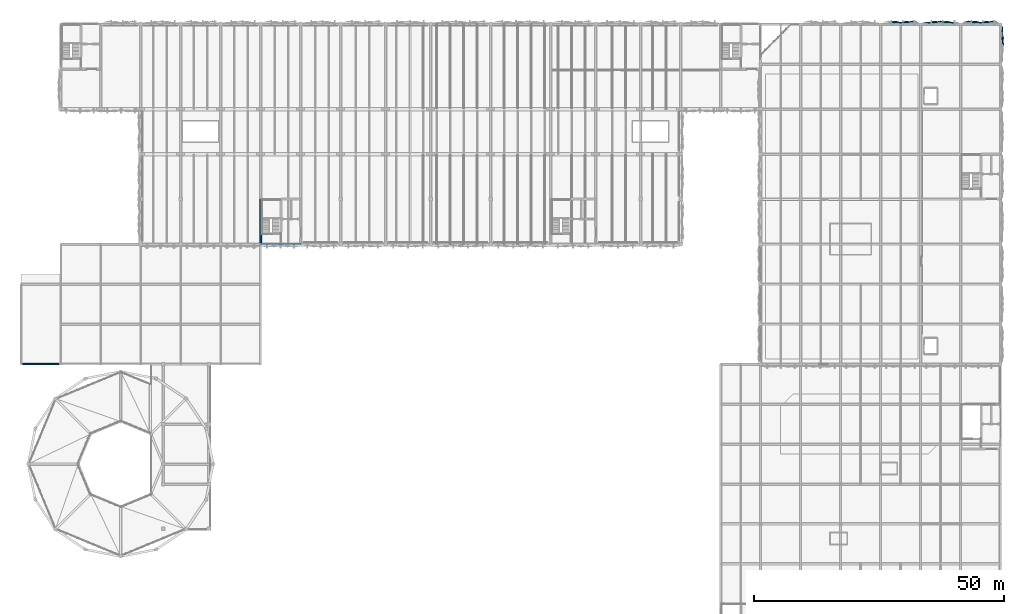
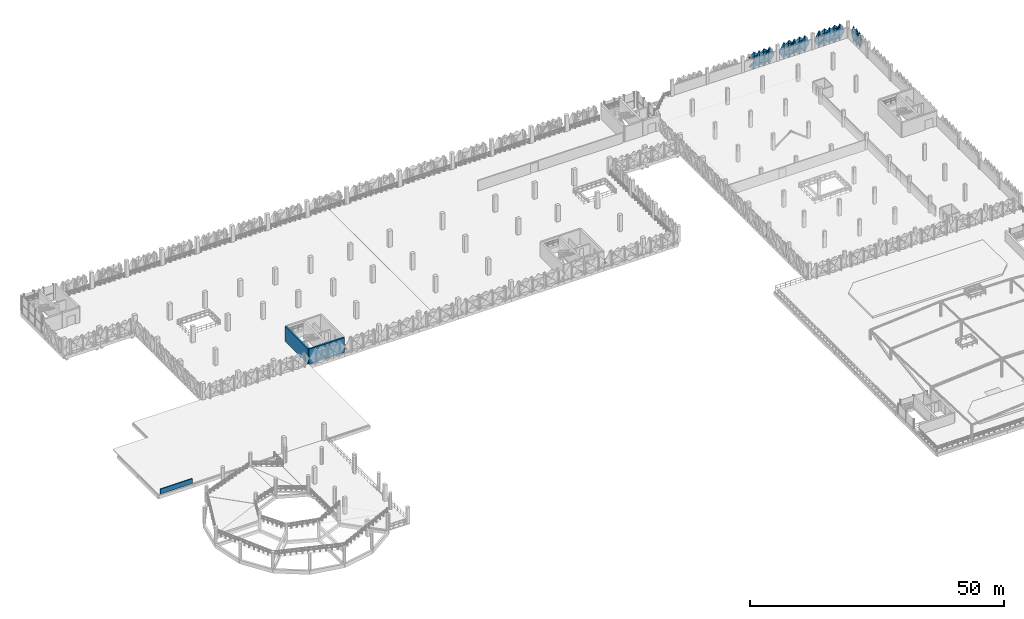
# One storey, part 39 of 76: 24 plates, 3 walls.
"""IFC4 building model written with IfcOpenShell, lengths in metres."""

from ifc_helpers import new_model, si_unit, derived_unit, direction, frame, frame_2d, origin, place, context, subcontext, project, spatial, rectangle, extrude, polygons, material, layer, layer_set, type_object, element, save


model = new_model("IFC4")

# Units and contexts
model_context = context("Model", 3, precision=1e-05, world=origin(), true_north=direction((0.0, 1.0)))
body_context = subcontext(model_context, "Body", "Model", "MODEL_VIEW")
ifc_project = project(units=[si_unit("LENGTHUNIT", "METRE"), si_unit("AREAUNIT", "SQUARE_METRE"), si_unit("VOLUMEUNIT", "CUBIC_METRE"), si_unit("PLANEANGLEUNIT", "RADIAN"), si_unit("MASSUNIT", "GRAM", prefix="KILO"), si_unit("THERMODYNAMICTEMPERATUREUNIT", "KELVIN"), derived_unit("THERMALTRANSMITTANCEUNIT", [(si_unit("POWERUNIT", "WATT"), 1), (si_unit("AREAUNIT", "SQUARE_METRE"), -1), (si_unit("THERMODYNAMICTEMPERATUREUNIT", "KELVIN"), -1)])], contexts=[model_context])

# Site, building, storey
site_placement = place(None, origin())
site = spatial("IfcSite", under=ifc_project, at=site_placement, CompositionType="ELEMENT")
building_placement = place(site_placement, origin())
building = spatial("IfcBuilding", under=site, at=building_placement, Name="Haiyu Intermodal Mobility Hub", CompositionType="ELEMENT")
storey_placement = place(building_placement, frame((0.0, 0.0, 17.300048828125)))
storey = spatial("IfcBuildingStorey", under=building, at=storey_placement, Name="L04", CompositionType="ELEMENT", Elevation=17.300048828125)

# Plates
ifc_material_1 = material(Name="Anodised aluminium 6063-T6", Category="aluminium")
ifc_layer_1 = layer(ifc_material_1, 0.01806640625)
ifc_layer_set_1 = layer_set([ifc_layer_1], Name="Anodised aluminium 6063-T6")
plate_type_1 = type_object("IfcPlateType", Name="PLT-FC01", PredefinedType="USERDEFINED", material=ifc_layer_set_1)
plate_1_placement = place(storey_placement, origin())
element("IfcPlate", 1, at=plate_1_placement, inside=storey, type_object=plate_type_1, Name="PLT-PYR-1337", ObjectType="FACADE CASSETTE", PredefinedType="USERDEFINED", context=body_context, shape_type="Tessellation", body=[
    polygons([(192.346923828125, 148.39990234375, -0.510009765625), (191.193115234375, 148.39990234375, 1.599853515625), (192.346923828125, 148.39990234375, 3.7099609375), (193.5, 148.39990234375, 1.599853515625), (192.346923828125, 148.679931640625, 1.599853515625), (192.346923828125, 148.3779296875, -0.510009765625), (191.193115234375, 148.3779296875, 1.599853515625), (192.346923828125, 148.3779296875, 3.7099609375), (193.5, 148.3779296875, 1.599853515625), (192.346923828125, 148.657958984375, 1.599853515625)], [[[1, 2, 5]], [[2, 3, 5]], [[3, 4, 5]], [[4, 1, 5]], [[7, 6, 10]], [[8, 7, 10]], [[9, 8, 10]], [[6, 9, 10]], [[1, 6, 7, 2]], [[2, 7, 8, 3]], [[3, 8, 9, 4]], [[4, 9, 6, 1]]], closed=True),
])
plate_2_placement = place(storey_placement, origin())
element("IfcPlate", 2, at=plate_2_placement, inside=storey, type_object=plate_type_1, Name="PLT-PYR-1341", ObjectType="FACADE CASSETTE", PredefinedType="USERDEFINED", context=body_context, shape_type="Tessellation", body=[
    polygons([(188.826904296875, 148.39990234375, -0.52001953125), (187.673095703125, 148.39990234375, 0.530029296875), (188.826904296875, 148.39990234375, 1.579833984375), (189.97998046875, 148.39990234375, 0.530029296875), (188.826904296875, 148.659912109375, 0.530029296875), (188.826904296875, 148.3779296875, -0.52001953125), (187.673095703125, 148.3779296875, 0.530029296875), (188.826904296875, 148.3779296875, 1.579833984375), (189.97998046875, 148.3779296875, 0.530029296875), (188.826904296875, 148.637939453125, 0.530029296875)], [[[1, 2, 5]], [[2, 3, 5]], [[3, 4, 5]], [[4, 1, 5]], [[7, 6, 10]], [[8, 7, 10]], [[9, 8, 10]], [[6, 9, 10]], [[1, 6, 7, 2]], [[2, 7, 8, 3]], [[3, 8, 9, 4]], [[4, 9, 6, 1]]], closed=True),
])
plate_3_placement = place(storey_placement, origin())
element("IfcPlate", 3, at=plate_3_placement, inside=storey, type_object=plate_type_1, Name="PLT-PYR-1345", ObjectType="FACADE CASSETTE", PredefinedType="USERDEFINED", context=body_context, shape_type="Tessellation", body=[
    polygons([(199.173095703125, 148.39990234375, -0.52001953125), (198.02001953125, 148.39990234375, 0.530029296875), (199.173095703125, 148.39990234375, 1.579833984375), (200.326904296875, 148.39990234375, 0.530029296875), (199.173095703125, 148.659912109375, 0.530029296875), (199.173095703125, 148.3779296875, -0.52001953125), (198.02001953125, 148.3779296875, 0.530029296875), (199.173095703125, 148.3779296875, 1.579833984375), (200.326904296875, 148.3779296875, 0.530029296875), (199.173095703125, 148.637939453125, 0.530029296875)], [[[1, 2, 5]], [[2, 3, 5]], [[3, 4, 5]], [[4, 1, 5]], [[7, 6, 10]], [[8, 7, 10]], [[9, 8, 10]], [[6, 9, 10]], [[1, 6, 7, 2]], [[2, 7, 8, 3]], [[3, 8, 9, 4]], [[4, 9, 6, 1]]], closed=True),
])
plate_4_placement = place(storey_placement, origin())
element("IfcPlate", 4, at=plate_4_placement, inside=storey, type_object=plate_type_1, Name="PLT-PYR-1351", ObjectType="FACADE CASSETTE", PredefinedType="USERDEFINED", context=body_context, shape_type="Tessellation", body=[
    polygons([(208.346923828125, 148.39990234375, -0.510009765625), (207.193115234375, 148.39990234375, 1.599853515625), (208.346923828125, 148.39990234375, 3.7099609375), (209.5, 148.39990234375, 1.599853515625), (208.346923828125, 148.679931640625, 1.599853515625), (208.346923828125, 148.3779296875, -0.510009765625), (207.193115234375, 148.3779296875, 1.599853515625), (208.346923828125, 148.3779296875, 3.7099609375), (209.5, 148.3779296875, 1.599853515625), (208.346923828125, 148.657958984375, 1.599853515625)], [[[1, 2, 5]], [[2, 3, 5]], [[3, 4, 5]], [[4, 1, 5]], [[7, 6, 10]], [[8, 7, 10]], [[9, 8, 10]], [[6, 9, 10]], [[1, 6, 7, 2]], [[2, 7, 8, 3]], [[3, 8, 9, 4]], [[4, 9, 6, 1]]], closed=True),
])
plate_5_placement = place(storey_placement, origin())
element("IfcPlate", 5, at=plate_5_placement, inside=storey, type_object=plate_type_1, Name="PLT-PYR-1355", ObjectType="FACADE CASSETTE", PredefinedType="USERDEFINED", context=body_context, shape_type="Tessellation", body=[
    polygons([(204.826904296875, 148.39990234375, -0.52001953125), (203.673095703125, 148.39990234375, 0.530029296875), (204.826904296875, 148.39990234375, 1.579833984375), (205.97998046875, 148.39990234375, 0.530029296875), (204.826904296875, 148.659912109375, 0.530029296875), (204.826904296875, 148.3779296875, -0.52001953125), (203.673095703125, 148.3779296875, 0.530029296875), (204.826904296875, 148.3779296875, 1.579833984375), (205.97998046875, 148.3779296875, 0.530029296875), (204.826904296875, 148.637939453125, 0.530029296875)], [[[1, 2, 5]], [[2, 3, 5]], [[3, 4, 5]], [[4, 1, 5]], [[7, 6, 10]], [[8, 7, 10]], [[9, 8, 10]], [[6, 9, 10]], [[1, 6, 7, 2]], [[2, 7, 8, 3]], [[3, 8, 9, 4]], [[4, 9, 6, 1]]], closed=True),
])
ifc_layer_2 = layer(ifc_material_1, 0.02001953125)
ifc_layer_set_2 = layer_set([ifc_layer_2], Name="Anodised aluminium 6063-T6")
plate_type_2 = type_object("IfcPlateType", Name="PLT-FC02", PredefinedType="USERDEFINED", material=ifc_layer_set_2)
plate_6_placement = place(storey_placement, origin())
element("IfcPlate", 6, at=plate_6_placement, inside=storey, type_object=plate_type_2, Name="PLT-PYR-1320", ObjectType="FACADE CASSETTE", PredefinedType="USERDEFINED", context=body_context, shape_type="Tessellation", body=[
    polygons([(210.39990234375, 145.173095703125, -0.52001953125), (210.39990234375, 146.326904296875, 0.530029296875), (210.39990234375, 145.173095703125, 1.579833984375), (210.39990234375, 144.02001953125, 0.530029296875), (210.179931640625, 145.173095703125, 0.530029296875), (210.3779296875, 145.173095703125, -0.52001953125), (210.3779296875, 146.326904296875, 0.530029296875), (210.3779296875, 145.173095703125, 1.579833984375), (210.3779296875, 144.02001953125, 0.530029296875), (210.157958984375, 145.173095703125, 0.530029296875)], [[[1, 2, 5]], [[2, 3, 5]], [[3, 4, 5]], [[4, 1, 5]], [[7, 6, 10]], [[8, 7, 10]], [[9, 8, 10]], [[6, 9, 10]], [[1, 6, 7, 2]], [[2, 7, 8, 3]], [[3, 8, 9, 4]], [[4, 9, 6, 1]]], closed=True),
])
plate_7_placement = place(storey_placement, origin())
element("IfcPlate", 7, at=plate_7_placement, inside=storey, type_object=plate_type_2, Name="PLT-PYR-1338", ObjectType="FACADE CASSETTE", PredefinedType="USERDEFINED", context=body_context, shape_type="Tessellation", body=[
    polygons([(191.173095703125, 148.39990234375, -0.52001953125), (190.02001953125, 148.39990234375, 0.530029296875), (191.173095703125, 148.39990234375, 1.579833984375), (192.326904296875, 148.39990234375, 0.530029296875), (191.173095703125, 148.179931640625, 0.530029296875), (191.173095703125, 148.3779296875, -0.52001953125), (190.02001953125, 148.3779296875, 0.530029296875), (191.173095703125, 148.3779296875, 1.579833984375), (192.326904296875, 148.3779296875, 0.530029296875), (191.173095703125, 148.157958984375, 0.530029296875)], [[[1, 2, 5]], [[2, 3, 5]], [[3, 4, 5]], [[4, 1, 5]], [[7, 6, 10]], [[8, 7, 10]], [[9, 8, 10]], [[6, 9, 10]], [[1, 6, 7, 2]], [[2, 7, 8, 3]], [[3, 8, 9, 4]], [[4, 9, 6, 1]]], closed=True),
])
plate_8_placement = place(storey_placement, origin())
element("IfcPlate", 8, at=plate_8_placement, inside=storey, type_object=plate_type_2, Name="PLT-PYR-1344", ObjectType="FACADE CASSETTE", PredefinedType="USERDEFINED", context=body_context, shape_type="Tessellation", body=[
    polygons([(200.346923828125, 148.39990234375, -0.510009765625), (199.193115234375, 148.39990234375, 1.599853515625), (200.346923828125, 148.39990234375, 3.7099609375), (201.5, 148.39990234375, 1.599853515625), (200.346923828125, 148.139892578125, 1.599853515625), (200.346923828125, 148.3779296875, -0.510009765625), (199.193115234375, 148.3779296875, 1.599853515625), (200.346923828125, 148.3779296875, 3.7099609375), (201.5, 148.3779296875, 1.599853515625), (200.346923828125, 148.117919921875, 1.599853515625)], [[[1, 2, 5]], [[2, 3, 5]], [[3, 4, 5]], [[4, 1, 5]], [[7, 6, 10]], [[8, 7, 10]], [[9, 8, 10]], [[6, 9, 10]], [[1, 6, 7, 2]], [[2, 7, 8, 3]], [[3, 8, 9, 4]], [[4, 9, 6, 1]]], closed=True),
])
plate_9_placement = place(storey_placement, origin())
element("IfcPlate", 9, at=plate_9_placement, inside=storey, type_object=plate_type_2, Name="PLT-PYR-1348", ObjectType="FACADE CASSETTE", PredefinedType="USERDEFINED", context=body_context, shape_type="Tessellation", body=[
    polygons([(196.826904296875, 148.39990234375, -0.52001953125), (195.673095703125, 148.39990234375, 0.530029296875), (196.826904296875, 148.39990234375, 1.579833984375), (197.97998046875, 148.39990234375, 0.530029296875), (196.826904296875, 148.179931640625, 0.530029296875), (196.826904296875, 148.3779296875, -0.52001953125), (195.673095703125, 148.3779296875, 0.530029296875), (196.826904296875, 148.3779296875, 1.579833984375), (197.97998046875, 148.3779296875, 0.530029296875), (196.826904296875, 148.157958984375, 0.530029296875)], [[[1, 2, 5]], [[2, 3, 5]], [[3, 4, 5]], [[4, 1, 5]], [[7, 6, 10]], [[8, 7, 10]], [[9, 8, 10]], [[6, 9, 10]], [[1, 6, 7, 2]], [[2, 7, 8, 3]], [[3, 8, 9, 4]], [[4, 9, 6, 1]]], closed=True),
])
plate_10_placement = place(storey_placement, origin())
element("IfcPlate", 10, at=plate_10_placement, inside=storey, type_object=plate_type_2, Name="PLT-PYR-1352", ObjectType="FACADE CASSETTE", PredefinedType="USERDEFINED", context=body_context, shape_type="Tessellation", body=[
    polygons([(207.173095703125, 148.39990234375, -0.52001953125), (206.02001953125, 148.39990234375, 0.530029296875), (207.173095703125, 148.39990234375, 1.579833984375), (208.326904296875, 148.39990234375, 0.530029296875), (207.173095703125, 148.179931640625, 0.530029296875), (207.173095703125, 148.3779296875, -0.52001953125), (206.02001953125, 148.3779296875, 0.530029296875), (207.173095703125, 148.3779296875, 1.579833984375), (208.326904296875, 148.3779296875, 0.530029296875), (207.173095703125, 148.157958984375, 0.530029296875)], [[[1, 2, 5]], [[2, 3, 5]], [[3, 4, 5]], [[4, 1, 5]], [[7, 6, 10]], [[8, 7, 10]], [[9, 8, 10]], [[6, 9, 10]], [[1, 6, 7, 2]], [[2, 7, 8, 3]], [[3, 8, 9, 4]], [[4, 9, 6, 1]]], closed=True),
])
ifc_layer_3 = layer(ifc_material_1, 0.01806640625)
ifc_layer_set_3 = layer_set([ifc_layer_3], Name="Anodised aluminium 6063-T6")
plate_type_3 = type_object("IfcPlateType", Name="PLT-FC03", PredefinedType="USERDEFINED", material=ifc_layer_set_3)
plate_11_placement = place(storey_placement, origin())
element("IfcPlate", 11, at=plate_11_placement, inside=storey, type_object=plate_type_3, Name="PLT-PYR-1319", ObjectType="FACADE CASSETTE", PredefinedType="USERDEFINED", context=body_context, shape_type="Tessellation", body=[
    polygons([(210.39990234375, 144.0, -0.510009765625), (210.39990234375, 145.153076171875, 1.599853515625), (210.39990234375, 144.0, 3.7099609375), (210.39990234375, 142.846923828125, 1.599853515625), (210.679931640625, 144.0, 1.599853515625), (210.3779296875, 144.0, -0.510009765625), (210.3779296875, 145.153076171875, 1.599853515625), (210.3779296875, 144.0, 3.7099609375), (210.3779296875, 142.846923828125, 1.599853515625), (210.657958984375, 144.0, 1.599853515625)], [[[1, 2, 5]], [[2, 3, 5]], [[3, 4, 5]], [[4, 1, 5]], [[7, 6, 10]], [[8, 7, 10]], [[9, 8, 10]], [[6, 9, 10]], [[1, 6, 7, 2]], [[2, 7, 8, 3]], [[3, 8, 9, 4]], [[4, 9, 6, 1]]], closed=True),
])
plate_12_placement = place(storey_placement, origin())
element("IfcPlate", 12, at=plate_12_placement, inside=storey, type_object=plate_type_3, Name="PLT-PYR-1321", ObjectType="FACADE CASSETTE", PredefinedType="USERDEFINED", context=body_context, shape_type="Tessellation", body=[
    polygons([(210.39990234375, 145.173095703125, 1.619873046875), (210.39990234375, 146.326904296875, 2.669921875), (210.39990234375, 145.173095703125, 3.719970703125), (210.39990234375, 144.02001953125, 2.669921875), (210.659912109375, 145.173095703125, 2.669921875), (210.3779296875, 145.173095703125, 1.619873046875), (210.3779296875, 146.326904296875, 2.669921875), (210.3779296875, 145.173095703125, 3.719970703125), (210.3779296875, 144.02001953125, 2.669921875), (210.637939453125, 145.173095703125, 2.669921875)], [[[1, 2, 5]], [[2, 3, 5]], [[3, 4, 5]], [[4, 1, 5]], [[7, 6, 10]], [[8, 7, 10]], [[9, 8, 10]], [[6, 9, 10]], [[1, 6, 7, 2]], [[2, 7, 8, 3]], [[3, 8, 9, 4]], [[4, 9, 6, 1]]], closed=True),
])
plate_13_placement = place(storey_placement, origin())
element("IfcPlate", 13, at=plate_13_placement, inside=storey, type_object=plate_type_3, Name="PLT-PYR-1339", ObjectType="FACADE CASSETTE", PredefinedType="USERDEFINED", context=body_context, shape_type="Tessellation", body=[
    polygons([(191.173095703125, 148.39990234375, 1.619873046875), (190.02001953125, 148.39990234375, 2.669921875), (191.173095703125, 148.39990234375, 3.719970703125), (192.326904296875, 148.39990234375, 2.669921875), (191.173095703125, 148.659912109375, 2.669921875), (191.173095703125, 148.3779296875, 1.619873046875), (190.02001953125, 148.3779296875, 2.669921875), (191.173095703125, 148.3779296875, 3.719970703125), (192.326904296875, 148.3779296875, 2.669921875), (191.173095703125, 148.637939453125, 2.669921875)], [[[1, 2, 5]], [[2, 3, 5]], [[3, 4, 5]], [[4, 1, 5]], [[7, 6, 10]], [[8, 7, 10]], [[9, 8, 10]], [[6, 9, 10]], [[1, 6, 7, 2]], [[2, 7, 8, 3]], [[3, 8, 9, 4]], [[4, 9, 6, 1]]], closed=True),
])
plate_14_placement = place(storey_placement, origin())
element("IfcPlate", 14, at=plate_14_placement, inside=storey, type_object=plate_type_3, Name="PLT-PYR-1347", ObjectType="FACADE CASSETTE", PredefinedType="USERDEFINED", context=body_context, shape_type="Tessellation", body=[
    polygons([(198.0, 148.39990234375, -0.510009765625), (196.846923828125, 148.39990234375, 1.599853515625), (198.0, 148.39990234375, 3.7099609375), (199.153076171875, 148.39990234375, 1.599853515625), (198.0, 148.679931640625, 1.599853515625), (198.0, 148.3779296875, -0.510009765625), (196.846923828125, 148.3779296875, 1.599853515625), (198.0, 148.3779296875, 3.7099609375), (199.153076171875, 148.3779296875, 1.599853515625), (198.0, 148.657958984375, 1.599853515625)], [[[1, 2, 5]], [[2, 3, 5]], [[3, 4, 5]], [[4, 1, 5]], [[7, 6, 10]], [[8, 7, 10]], [[9, 8, 10]], [[6, 9, 10]], [[1, 6, 7, 2]], [[2, 7, 8, 3]], [[3, 8, 9, 4]], [[4, 9, 6, 1]]], closed=True),
])
plate_15_placement = place(storey_placement, origin())
element("IfcPlate", 15, at=plate_15_placement, inside=storey, type_object=plate_type_3, Name="PLT-PYR-1349", ObjectType="FACADE CASSETTE", PredefinedType="USERDEFINED", context=body_context, shape_type="Tessellation", body=[
    polygons([(196.826904296875, 148.39990234375, 1.619873046875), (195.673095703125, 148.39990234375, 2.669921875), (196.826904296875, 148.39990234375, 3.719970703125), (197.97998046875, 148.39990234375, 2.669921875), (196.826904296875, 148.659912109375, 2.669921875), (196.826904296875, 148.3779296875, 1.619873046875), (195.673095703125, 148.3779296875, 2.669921875), (196.826904296875, 148.3779296875, 3.719970703125), (197.97998046875, 148.3779296875, 2.669921875), (196.826904296875, 148.637939453125, 2.669921875)], [[[1, 2, 5]], [[2, 3, 5]], [[3, 4, 5]], [[4, 1, 5]], [[7, 6, 10]], [[8, 7, 10]], [[9, 8, 10]], [[6, 9, 10]], [[1, 6, 7, 2]], [[2, 7, 8, 3]], [[3, 8, 9, 4]], [[4, 9, 6, 1]]], closed=True),
])
plate_16_placement = place(storey_placement, origin())
element("IfcPlate", 16, at=plate_16_placement, inside=storey, type_object=plate_type_3, Name="PLT-PYR-1353", ObjectType="FACADE CASSETTE", PredefinedType="USERDEFINED", context=body_context, shape_type="Tessellation", body=[
    polygons([(207.173095703125, 148.39990234375, 1.619873046875), (206.02001953125, 148.39990234375, 2.669921875), (207.173095703125, 148.39990234375, 3.719970703125), (208.326904296875, 148.39990234375, 2.669921875), (207.173095703125, 148.659912109375, 2.669921875), (207.173095703125, 148.3779296875, 1.619873046875), (206.02001953125, 148.3779296875, 2.669921875), (207.173095703125, 148.3779296875, 3.719970703125), (208.326904296875, 148.3779296875, 2.669921875), (207.173095703125, 148.637939453125, 2.669921875)], [[[1, 2, 5]], [[2, 3, 5]], [[3, 4, 5]], [[4, 1, 5]], [[7, 6, 10]], [[8, 7, 10]], [[9, 8, 10]], [[6, 9, 10]], [[1, 6, 7, 2]], [[2, 7, 8, 3]], [[3, 8, 9, 4]], [[4, 9, 6, 1]]], closed=True),
])
ifc_layer_4 = layer(ifc_material_1, 0.02001953125)
ifc_layer_set_4 = layer_set([ifc_layer_4], Name="Anodised aluminium 6063-T6")
plate_type_4 = type_object("IfcPlateType", Name="PLT-FC04", PredefinedType="USERDEFINED", material=ifc_layer_set_4)
plate_17_placement = place(storey_placement, origin())
element("IfcPlate", 17, at=plate_17_placement, inside=storey, type_object=plate_type_4, Name="PLT-PYR-1340", ObjectType="FACADE CASSETTE", PredefinedType="USERDEFINED", context=body_context, shape_type="Tessellation", body=[
    polygons([(190.0, 148.39990234375, -0.510009765625), (188.846923828125, 148.39990234375, 1.599853515625), (190.0, 148.39990234375, 3.7099609375), (191.153076171875, 148.39990234375, 1.599853515625), (190.0, 148.139892578125, 1.599853515625), (190.0, 148.3779296875, -0.510009765625), (188.846923828125, 148.3779296875, 1.599853515625), (190.0, 148.3779296875, 3.7099609375), (191.153076171875, 148.3779296875, 1.599853515625), (190.0, 148.117919921875, 1.599853515625)], [[[1, 2, 5]], [[2, 3, 5]], [[3, 4, 5]], [[4, 1, 5]], [[7, 6, 10]], [[8, 7, 10]], [[9, 8, 10]], [[6, 9, 10]], [[1, 6, 7, 2]], [[2, 7, 8, 3]], [[3, 8, 9, 4]], [[4, 9, 6, 1]]], closed=True),
])
plate_18_placement = place(storey_placement, origin())
element("IfcPlate", 18, at=plate_18_placement, inside=storey, type_object=plate_type_4, Name="PLT-PYR-1342", ObjectType="FACADE CASSETTE", PredefinedType="USERDEFINED", context=body_context, shape_type="Tessellation", body=[
    polygons([(188.826904296875, 148.39990234375, 1.619873046875), (187.673095703125, 148.39990234375, 2.669921875), (188.826904296875, 148.39990234375, 3.719970703125), (189.97998046875, 148.39990234375, 2.669921875), (188.826904296875, 148.179931640625, 2.669921875), (188.826904296875, 148.3779296875, 1.619873046875), (187.673095703125, 148.3779296875, 2.669921875), (188.826904296875, 148.3779296875, 3.719970703125), (189.97998046875, 148.3779296875, 2.669921875), (188.826904296875, 148.157958984375, 2.669921875)], [[[1, 2, 5]], [[2, 3, 5]], [[3, 4, 5]], [[4, 1, 5]], [[7, 6, 10]], [[8, 7, 10]], [[9, 8, 10]], [[6, 9, 10]], [[1, 6, 7, 2]], [[2, 7, 8, 3]], [[3, 8, 9, 4]], [[4, 9, 6, 1]]], closed=True),
])
plate_19_placement = place(storey_placement, origin())
element("IfcPlate", 19, at=plate_19_placement, inside=storey, type_object=plate_type_4, Name="PLT-PYR-1346", ObjectType="FACADE CASSETTE", PredefinedType="USERDEFINED", context=body_context, shape_type="Tessellation", body=[
    polygons([(199.173095703125, 148.39990234375, 1.619873046875), (198.02001953125, 148.39990234375, 2.669921875), (199.173095703125, 148.39990234375, 3.719970703125), (200.326904296875, 148.39990234375, 2.669921875), (199.173095703125, 148.179931640625, 2.669921875), (199.173095703125, 148.3779296875, 1.619873046875), (198.02001953125, 148.3779296875, 2.669921875), (199.173095703125, 148.3779296875, 3.719970703125), (200.326904296875, 148.3779296875, 2.669921875), (199.173095703125, 148.157958984375, 2.669921875)], [[[1, 2, 5]], [[2, 3, 5]], [[3, 4, 5]], [[4, 1, 5]], [[7, 6, 10]], [[8, 7, 10]], [[9, 8, 10]], [[6, 9, 10]], [[1, 6, 7, 2]], [[2, 7, 8, 3]], [[3, 8, 9, 4]], [[4, 9, 6, 1]]], closed=True),
])
plate_20_placement = place(storey_placement, origin())
element("IfcPlate", 20, at=plate_20_placement, inside=storey, type_object=plate_type_4, Name="PLT-PYR-1354", ObjectType="FACADE CASSETTE", PredefinedType="USERDEFINED", context=body_context, shape_type="Tessellation", body=[
    polygons([(206.0, 148.39990234375, -0.510009765625), (204.846923828125, 148.39990234375, 1.599853515625), (206.0, 148.39990234375, 3.7099609375), (207.153076171875, 148.39990234375, 1.599853515625), (206.0, 148.139892578125, 1.599853515625), (206.0, 148.3779296875, -0.510009765625), (204.846923828125, 148.3779296875, 1.599853515625), (206.0, 148.3779296875, 3.7099609375), (207.153076171875, 148.3779296875, 1.599853515625), (206.0, 148.117919921875, 1.599853515625)], [[[1, 2, 5]], [[2, 3, 5]], [[3, 4, 5]], [[4, 1, 5]], [[7, 6, 10]], [[8, 7, 10]], [[9, 8, 10]], [[6, 9, 10]], [[1, 6, 7, 2]], [[2, 7, 8, 3]], [[3, 8, 9, 4]], [[4, 9, 6, 1]]], closed=True),
])
plate_21_placement = place(storey_placement, origin())
element("IfcPlate", 21, at=plate_21_placement, inside=storey, type_object=plate_type_4, Name="PLT-PYR-1356", ObjectType="FACADE CASSETTE", PredefinedType="USERDEFINED", context=body_context, shape_type="Tessellation", body=[
    polygons([(204.826904296875, 148.39990234375, 1.619873046875), (203.673095703125, 148.39990234375, 2.669921875), (204.826904296875, 148.39990234375, 3.719970703125), (205.97998046875, 148.39990234375, 2.669921875), (204.826904296875, 148.179931640625, 2.669921875), (204.826904296875, 148.3779296875, 1.619873046875), (203.673095703125, 148.3779296875, 2.669921875), (204.826904296875, 148.3779296875, 3.719970703125), (205.97998046875, 148.3779296875, 2.669921875), (204.826904296875, 148.157958984375, 2.669921875)], [[[1, 2, 5]], [[2, 3, 5]], [[3, 4, 5]], [[4, 1, 5]], [[7, 6, 10]], [[8, 7, 10]], [[9, 8, 10]], [[6, 9, 10]], [[1, 6, 7, 2]], [[2, 7, 8, 3]], [[3, 8, 9, 4]], [[4, 9, 6, 1]]], closed=True),
])
ifc_layer_5 = layer(ifc_material_1, 0.01806640625)
ifc_layer_set_5 = layer_set([ifc_layer_5], Name="Anodised aluminium 6063-T6")
plate_type_5 = type_object("IfcPlateType", Name="PLT-FC05", PredefinedType="USERDEFINED", material=ifc_layer_set_5)
plate_22_placement = place(storey_placement, origin())
element("IfcPlate", 22, at=plate_22_placement, inside=storey, type_object=plate_type_5, Name="PLT-PYR-1357", ObjectType="FACADE CASSETTE", PredefinedType="USERDEFINED", context=body_context, shape_type="Tessellation", body=[
    polygons([(203.653076171875, 148.39990234375, -0.510009765625), (202.5, 148.39990234375, 1.599853515625), (203.653076171875, 148.39990234375, 3.7099609375), (204.806884765625, 148.39990234375, 1.599853515625), (203.653076171875, 148.679931640625, 1.599853515625), (203.653076171875, 148.3779296875, -0.510009765625), (202.5, 148.3779296875, 1.599853515625), (203.653076171875, 148.3779296875, 3.7099609375), (204.806884765625, 148.3779296875, 1.599853515625), (203.653076171875, 148.657958984375, 1.599853515625)], [[[1, 2, 5]], [[2, 3, 5]], [[3, 4, 5]], [[4, 1, 5]], [[7, 6, 10]], [[8, 7, 10]], [[9, 8, 10]], [[6, 9, 10]], [[1, 6, 7, 2]], [[2, 7, 8, 3]], [[3, 8, 9, 4]], [[4, 9, 6, 1]]], closed=True),
])
ifc_layer_6 = layer(ifc_material_1, 0.02001953125)
ifc_layer_set_6 = layer_set([ifc_layer_6], Name="Anodised aluminium 6063-T6")
plate_type_6 = type_object("IfcPlateType", Name="PLT-FC06", PredefinedType="USERDEFINED", material=ifc_layer_set_6)
plate_23_placement = place(storey_placement, origin())
element("IfcPlate", 23, at=plate_23_placement, inside=storey, type_object=plate_type_6, Name="PLT-PYR-1322", ObjectType="FACADE CASSETTE", PredefinedType="USERDEFINED", context=body_context, shape_type="Tessellation", body=[
    polygons([(210.39990234375, 146.346923828125, -0.510009765625), (210.39990234375, 147.5, 1.599853515625), (210.39990234375, 146.346923828125, 3.7099609375), (210.39990234375, 145.193115234375, 1.599853515625), (210.139892578125, 146.346923828125, 1.599853515625), (210.3779296875, 146.346923828125, -0.510009765625), (210.3779296875, 147.5, 1.599853515625), (210.3779296875, 146.346923828125, 3.7099609375), (210.3779296875, 145.193115234375, 1.599853515625), (210.117919921875, 146.346923828125, 1.599853515625)], [[[1, 2, 5]], [[2, 3, 5]], [[3, 4, 5]], [[4, 1, 5]], [[7, 6, 10]], [[8, 7, 10]], [[9, 8, 10]], [[6, 9, 10]], [[1, 6, 7, 2]], [[2, 7, 8, 3]], [[3, 8, 9, 4]], [[4, 9, 6, 1]]], closed=True),
])
plate_24_placement = place(storey_placement, origin())
element("IfcPlate", 24, at=plate_24_placement, inside=storey, type_object=plate_type_6, Name="PLT-PYR-1350", ObjectType="FACADE CASSETTE", PredefinedType="USERDEFINED", context=body_context, shape_type="Tessellation", body=[
    polygons([(195.653076171875, 148.39990234375, -0.510009765625), (194.5, 148.39990234375, 1.599853515625), (195.653076171875, 148.39990234375, 3.7099609375), (196.806884765625, 148.39990234375, 1.599853515625), (195.653076171875, 148.139892578125, 1.599853515625), (195.653076171875, 148.3779296875, -0.510009765625), (194.5, 148.3779296875, 1.599853515625), (195.653076171875, 148.3779296875, 3.7099609375), (196.806884765625, 148.3779296875, 1.599853515625), (195.653076171875, 148.117919921875, 1.599853515625)], [[[1, 2, 5]], [[2, 3, 5]], [[3, 4, 5]], [[4, 1, 5]], [[7, 6, 10]], [[8, 7, 10]], [[9, 8, 10]], [[6, 9, 10]], [[1, 6, 7, 2]], [[2, 7, 8, 3]], [[3, 8, 9, 4]], [[4, 9, 6, 1]]], closed=True),
])

# Walls
ifc_material_2 = material(Name="Precast concrete C40", Category="concrete")
ifc_layer_7 = layer(ifc_material_2, 0.219970703125)
ifc_layer_set_7 = layer_set([ifc_layer_7], Name="Precast concrete C40")
wall_type_1 = type_object("IfcWallType", Name="WAL-WE05", PredefinedType="STANDARD", material=ifc_layer_set_7)
wall_1_placement = place(storey_placement, frame((14.3701171875, 80.0, 0.0), z_axis=(0.0, 0.0, 1.0), x_axis=(1.0, 0.0, 0.0)))
element("IfcWall", 25, at=wall_1_placement, inside=storey, type_object=wall_type_1, Name="WAL-PAR-CAR-05", PredefinedType="STANDARD", context=body_context, shape_type="SweptSolid", body=[
    extrude(rectangle(XDim=7.259765625, YDim=0.219970703125, at=frame_2d((3.6298828125, 0.0))), origin(), (0.0, 0.0, 1.0), 1.14990234375),
])
ifc_material_3 = material(Name="Concrete C40", Category="concrete")
ifc_layer_8 = layer(ifc_material_3, 0.35009765625)
ifc_layer_set_8 = layer_set([ifc_layer_8], Name="Concrete C40")
wall_type_2 = type_object("IfcWallType", Name="WAL-WS02", PredefinedType="SHEAR", material=ifc_layer_set_8)
wall_2_placement = place(storey_placement, frame((62.0, 104.0, 0.0), z_axis=(0.0, 0.0, 1.0), x_axis=(1.0, 0.0, 0.0)))
element("IfcWall", 26, at=wall_2_placement, inside=storey, type_object=wall_type_2, Name="WAL-CORE-C5-S-L04", PredefinedType="SHEAR", context=body_context, shape_type="SweptSolid", body=[
    extrude(rectangle(XDim=8.0, YDim=0.35009765625, at=frame_2d((4.0, 0.0))), origin(), (0.0, 0.0, 1.0), 3.619873046875),
])
wall_3_placement = place(storey_placement, frame((62.0, 113.0, 0.0), z_axis=(0.0, 0.0, 1.0), x_axis=(0.0, -1.0, 0.0)))
element("IfcWall", 27, at=wall_3_placement, inside=storey, type_object=wall_type_2, Name="WAL-CORE-C5-W-L04", PredefinedType="SHEAR", context=body_context, shape_type="SweptSolid", body=[
    extrude(rectangle(XDim=9.0, YDim=0.35009765625, at=frame_2d((4.5, 0.0))), origin(), (0.0, 0.0, 1.0), 3.619873046875),
])

save(model, "model.ifc")
